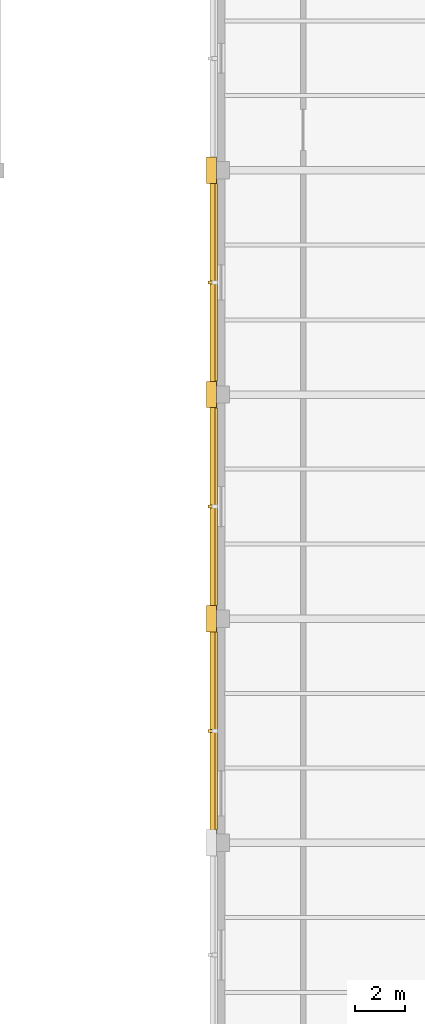
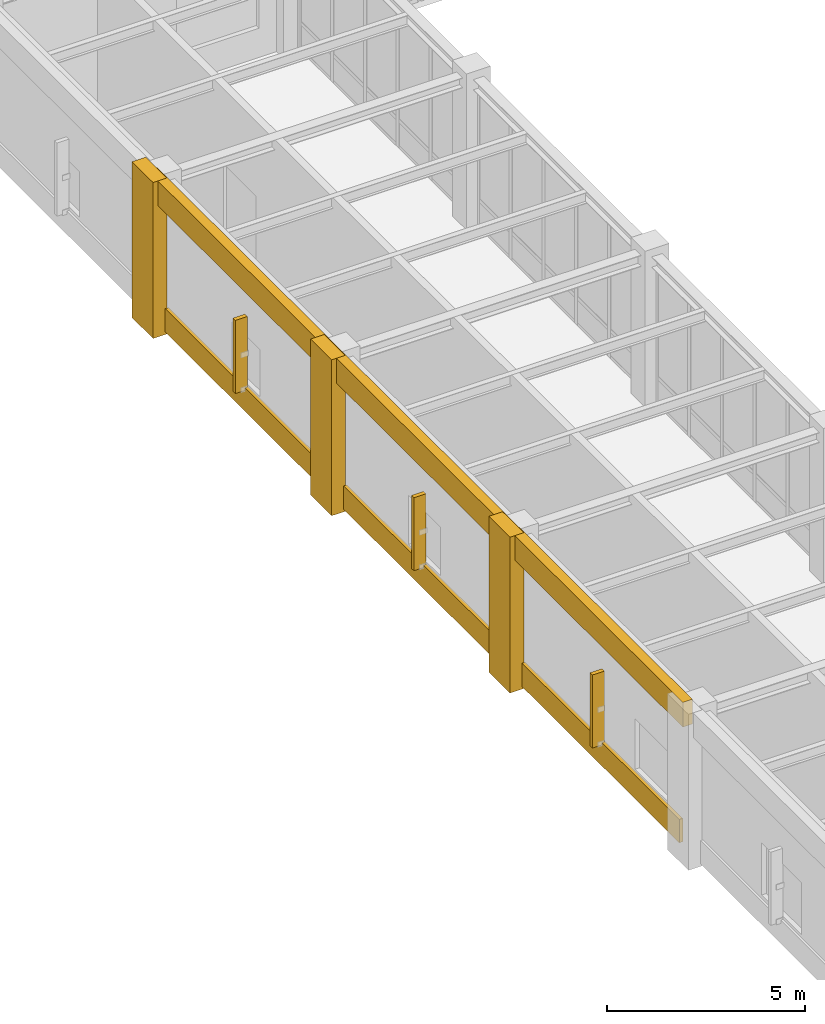
# One storey, part 95 of 98: 9 coverings, 3 shading devices.
"""IFC4 building model written with IfcOpenShell, lengths in metres."""

from ifc_helpers import new_model, si_unit, direction, frame, origin, origin_2d, place, context, subcontext, project, spatial, rectangle, extrude, material, layer, layer_set, type_object, element, save


model = new_model("IFC4")

# Units and contexts
model_context = context("Model", 3, precision=1e-05, world=origin(), true_north=direction((0.0, 1.0)))
body_context = subcontext(model_context, "Body", "Model", "MODEL_VIEW")
ifc_project = project(units=[si_unit("LENGTHUNIT", "METRE"), si_unit("AREAUNIT", "SQUARE_METRE"), si_unit("VOLUMEUNIT", "CUBIC_METRE"), si_unit("PLANEANGLEUNIT", "RADIAN"), si_unit("MASSUNIT", "GRAM", prefix="KILO")], contexts=[model_context])

# Site, building, storey
site_placement = place(None, origin())
site = spatial("IfcSite", under=ifc_project, at=site_placement, CompositionType="ELEMENT")
building_placement = place(site_placement, origin())
building = spatial("IfcBuilding", under=site, at=building_placement, Name="Lykobir Media Centre", CompositionType="ELEMENT")
storey_placement = place(building_placement, frame((0.0, 0.0, 10.199951171875)))
storey = spatial("IfcBuildingStorey", under=building, at=storey_placement, Name="L02", CompositionType="ELEMENT", Elevation=10.199951171875)

# Coverings
ifc_material_1 = material(Name="Glazed Turquoise Terracotta", Category="masonry")
ifc_layer_1 = layer(ifc_material_1, 0.0400390625, Name="Glazed Turquoise Terracotta")
ifc_layer_set_1 = layer_set([ifc_layer_1], Name="Glazed Turquoise Terracotta")
covering_type_1 = type_object("IfcCoveringType", Name="CLD-TERR", PredefinedType="CLADDING", material=ifc_layer_set_1)
for number, where, z_axis, x_axis, name in (
    (1, (89.819091796875, 40.5, 0.080078125), (0.0, 0.0, 1.0), (0.0, -1.0, 0.0), "Facade spandrel apron 387"),
    (2, (89.819091796875, 49.5, 0.080078125), (0.0, 0.0, 1.0), (0.0, -1.0, 0.0), "Facade spandrel apron 390"),
    (3, (89.819091796875, 58.5, 0.080078125), (0.0, 0.0, 1.0), (0.0, -1.0, 0.0), "Facade spandrel apron 393"),
):
    element("IfcCovering", number, at=place(storey_placement, frame(where, z_axis=z_axis, x_axis=x_axis)), inside=storey, type_object=covering_type_1, Name=name, PredefinedType="CLADDING", context=body_context, shape_type="SweptSolid", body=[
        extrude(rectangle(XDim=7.929931640625, YDim=0.10009765625, at=origin_2d()), origin(), (0.0, 0.0, 1.0), 0.719970703125),
    ])
ifc_material_2 = material(Name="Honed Travertine Stone", Category="masonry")
ifc_layer_2 = layer(ifc_material_2, 0.050048828125, Name="Honed Travertine Stone")
ifc_layer_set_2 = layer_set([ifc_layer_2], Name="Honed Travertine Stone")
covering_type_2 = type_object("IfcCoveringType", Name="CLD-TRAV", PredefinedType="CLADDING", material=ifc_layer_set_2)
covering_1_placement = place(storey_placement, frame((89.6201171875, 45.0, 0.0), z_axis=(0.0, 0.0, 1.0), x_axis=(0.0, -1.0, 0.0)))
element("IfcCovering", 4, at=covering_1_placement, inside=storey, type_object=covering_type_2, Name="Travertine column pier 385", PredefinedType="CLADDING", context=body_context, shape_type="SweptSolid", body=[
    extrude(rectangle(XDim=1.06005859375, YDim=0.39990234375, at=origin_2d()), origin(), (0.0, 0.0, 1.0), 4.800048828125),
])
covering_2_placement = place(storey_placement, frame((89.699951171875, 40.5, 4.0400390625), z_axis=(0.0, 0.0, 1.0), x_axis=(0.0, -1.0, 0.0)))
element("IfcCovering", 5, at=covering_2_placement, inside=storey, type_object=covering_type_2, Name="Travertine spandrel stringcourse 386", PredefinedType="CLADDING", context=body_context, shape_type="SweptSolid", body=[
    extrude(rectangle(XDim=9.0, YDim=0.280029296875, at=origin_2d()), origin(), (0.0, 0.0, 1.0), 0.760009765625),
])
covering_3_placement = place(storey_placement, frame((89.6201171875, 54.0, 0.0), z_axis=(0.0, 0.0, 1.0), x_axis=(0.0, -1.0, 0.0)))
element("IfcCovering", 6, at=covering_3_placement, inside=storey, type_object=covering_type_2, Name="Travertine column pier 388", PredefinedType="CLADDING", context=body_context, shape_type="SweptSolid", body=[
    extrude(rectangle(XDim=1.06005859375, YDim=0.39990234375, at=origin_2d()), origin(), (0.0, 0.0, 1.0), 4.800048828125),
])
covering_4_placement = place(storey_placement, frame((89.699951171875, 49.5, 4.0400390625), z_axis=(0.0, 0.0, 1.0), x_axis=(0.0, -1.0, 0.0)))
element("IfcCovering", 7, at=covering_4_placement, inside=storey, type_object=covering_type_2, Name="Travertine spandrel stringcourse 389", PredefinedType="CLADDING", context=body_context, shape_type="SweptSolid", body=[
    extrude(rectangle(XDim=9.0, YDim=0.280029296875, at=origin_2d()), origin(), (0.0, 0.0, 1.0), 0.760009765625),
])
covering_5_placement = place(storey_placement, frame((89.6201171875, 63.0, 0.0), z_axis=(0.0, 0.0, 1.0), x_axis=(0.0, -1.0, 0.0)))
element("IfcCovering", 8, at=covering_5_placement, inside=storey, type_object=covering_type_2, Name="Travertine column pier 391", PredefinedType="CLADDING", context=body_context, shape_type="SweptSolid", body=[
    extrude(rectangle(XDim=1.06005859375, YDim=0.39990234375, at=origin_2d()), origin(), (0.0, 0.0, 1.0), 4.800048828125),
])
covering_6_placement = place(storey_placement, frame((89.699951171875, 58.5, 4.0400390625), z_axis=(0.0, 0.0, 1.0), x_axis=(0.0, -1.0, 0.0)))
element("IfcCovering", 9, at=covering_6_placement, inside=storey, type_object=covering_type_2, Name="Travertine spandrel stringcourse 392", PredefinedType="CLADDING", context=body_context, shape_type="SweptSolid", body=[
    extrude(rectangle(XDim=9.0, YDim=0.280029296875, at=origin_2d()), origin(), (0.0, 0.0, 1.0), 0.760009765625),
])

# Shading devices
shading_device_type = type_object("IfcShadingDeviceType", Name="SHD-FIN", PredefinedType="USERDEFINED", material=ifc_material_1)
for number, where, z_axis, x_axis, name in (
    (10, (89.6650390625, 40.5, 0.72509765625), (0.0, 0.0, 1.0), (0.0, -1.0, 0.0), "Terracotta shading fin 12"),
    (11, (89.6650390625, 49.5, 0.72509765625), (0.0, 0.0, 1.0), (0.0, -1.0, 0.0), "Terracotta shading fin 13"),
    (12, (89.6650390625, 58.5, 0.72509765625), (0.0, 0.0, 1.0), (0.0, -1.0, 0.0), "Terracotta shading fin 14"),
):
    element("IfcShadingDevice", number, at=place(storey_placement, frame(where, z_axis=z_axis, x_axis=x_axis)), inside=storey, type_object=shading_device_type, Name=name, ObjectType="FIN", PredefinedType="USERDEFINED", context=body_context, shape_type="SweptSolid", body=[
        extrude(rectangle(XDim=0.1201171875, YDim=0.35009765625, at=origin_2d()), origin(), (0.0, 0.0, 1.0), 2.25),
    ])

save(model, "model.ifc")
